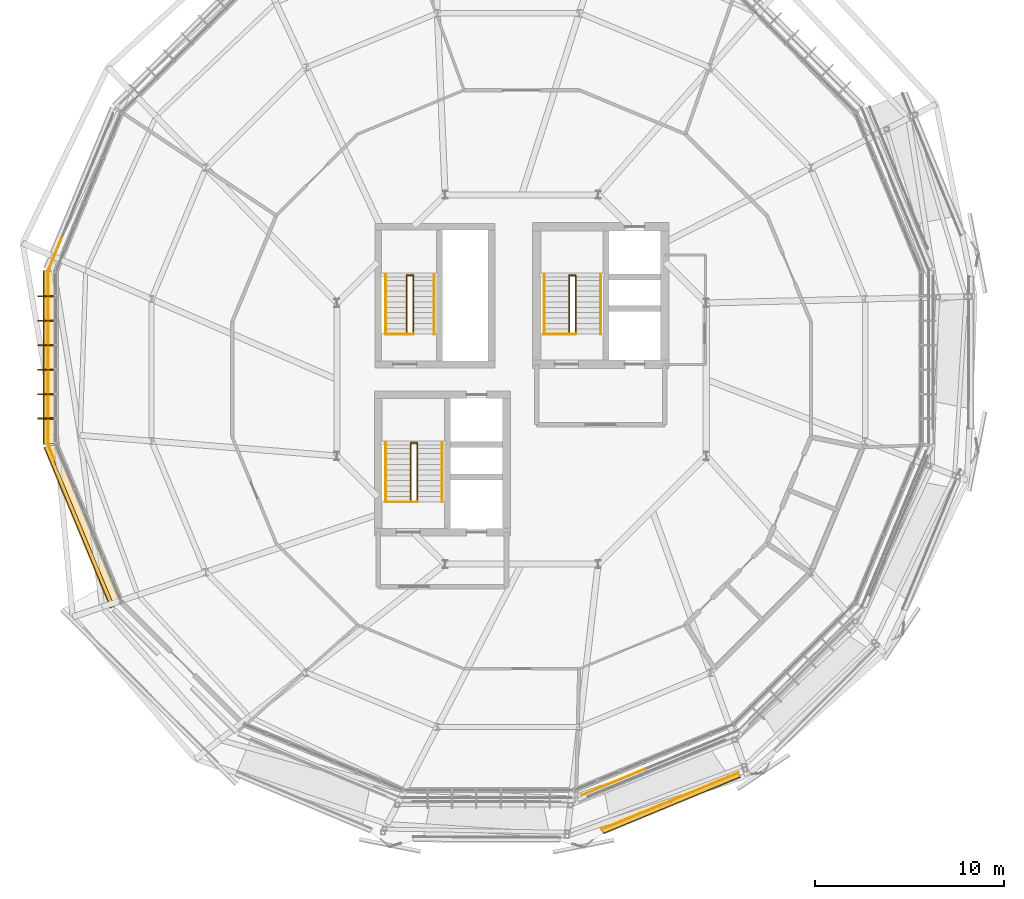
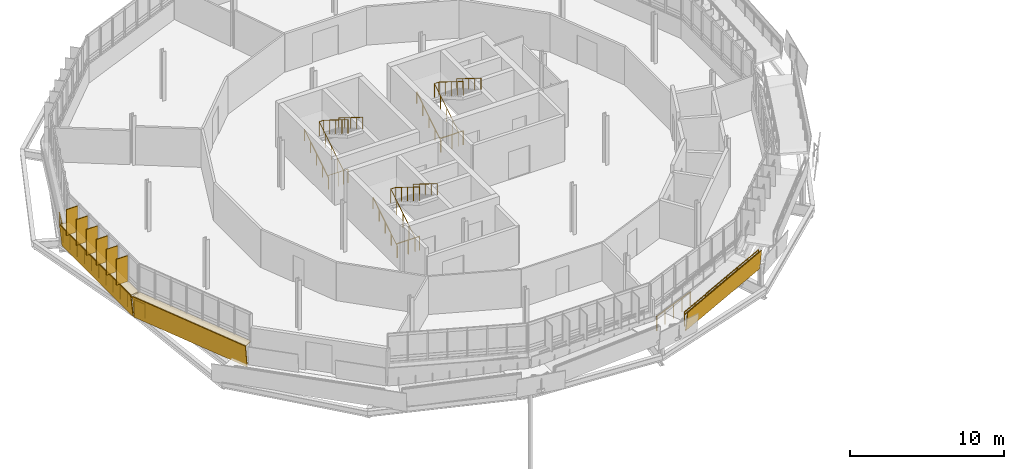
# One storey, part 33 of 38: 23 railings, 6 shading devices, 5 coverings.
"""IFC4 building model written with IfcOpenShell, lengths in metres."""

from ifc_helpers import new_model, si_unit, derived_unit, direction, frame, origin, origin_2d, place, context, subcontext, project, spatial, polyline, rectangle, circle, outline, extrude, material, layer, layer_set, type_object, element, save


model = new_model("IFC4")

# Units and contexts
model_context = context("Model", 3, precision=1e-05, world=origin(), true_north=direction((0.0, 1.0)))
body_context = subcontext(model_context, "Body", "Model", "MODEL_VIEW")
ifc_project = project(units=[si_unit("LENGTHUNIT", "METRE"), si_unit("AREAUNIT", "SQUARE_METRE"), si_unit("VOLUMEUNIT", "CUBIC_METRE"), si_unit("PLANEANGLEUNIT", "RADIAN"), si_unit("MASSUNIT", "GRAM", prefix="KILO"), derived_unit("THERMALTRANSMITTANCEUNIT", [(si_unit("MASSUNIT", "GRAM", prefix="KILO"), 1), (si_unit("TIMEUNIT", "SECOND"), -3), (si_unit("THERMODYNAMICTEMPERATUREUNIT", "KELVIN"), -1)])], contexts=[model_context])

# Site, building, storey
site_placement = place(None, origin())
site = spatial("IfcSite", under=ifc_project, at=site_placement, CompositionType="ELEMENT")
building_placement = place(site_placement, origin())
building = spatial("IfcBuilding", under=site, at=building_placement, Name="Makaiwela Harbour Ferry Terminal", CompositionType="ELEMENT")
storey_placement = place(building_placement, frame((0.0, 0.0, 17.699951171875)))
storey = spatial("IfcBuildingStorey", under=building, at=storey_placement, Name="L04", CompositionType="ELEMENT", Elevation=17.699951171875)

# Coverings
ifc_material_1 = material(Name="White glazed marine ceramic rainscreen tile", Category="masonry")
ifc_layer_1 = layer(ifc_material_1, 0.054931640625)
ifc_layer_set_1 = layer_set([ifc_layer_1], Name="White glazed marine ceramic rainscreen tile")
covering_type = type_object("IfcCoveringType", Name="ENV-CLD-CERAMIC", PredefinedType="CLADDING", material=ifc_layer_set_1)
covering_1_placement = place(storey_placement, frame((12.660400390625, 73.3828125, -0.219970703125), z_axis=(0.994019050726, 0.0, 0.109206807453), x_axis=(0.0, -1.0, 0.0)))
element("IfcCovering", 1, at=covering_1_placement, inside=storey, type_object=covering_type, Name="Ceramic Spandrel Facet CLD-0109", PredefinedType="CLADDING", context=body_context, shape_type="SweptSolid", body=[
    extrude(outline(polyline([(0.0, 0.0), (9.225830078125, 0.0), (9.225830078125, -1.7504596447165146), (0.0, -1.7504596447165146), (0.0, 0.0)])), origin(), (0.0, 0.0, -1.0), 0.054931640625),
])
covering_2_placement = place(storey_placement, frame((0.0, 0.0, 1.47998046875)))
element("IfcCovering", 2, at=covering_2_placement, inside=storey, type_object=covering_type, Name="Ceramic Ring Sill Cap CLD-0110", PredefinedType="CLADDING", context=body_context, shape_type="SweptSolid", body=[
    extrude(outline(polyline([(12.46923828125, 73.3828125), (12.46923828125, 64.156982421875), (13.099609375, 64.23486328125), (13.099609375, 73.30517578125), (12.46923828125, 73.3828125)])), origin(), (0.0, 0.0, 1.0), 0.05517578125),
])
covering_3_placement = place(storey_placement, frame((12.675537109375, 64.080810546875, -0.219970703125), z_axis=(0.918373003577, 0.380383324546, 0.109085070968), x_axis=(0.382666842189, -0.923886404212, 7.76523e-07)))
element("IfcCovering", 3, at=covering_3_placement, inside=storey, type_object=covering_type, Name="Ceramic Spandrel Facet CLD-0111", PredefinedType="CLADDING", context=body_context, shape_type="SweptSolid", body=[
    extrude(outline(polyline([(0.0, 0.0), (9.225606611795858, 0.0), (9.225822919286946, -1.750428898954605), (-0.00010267523508380015, -1.7504433130129173), (0.0, 0.0)])), origin(), (0.0, 0.0, -1.0), 0.054931640625),
])
covering_4_placement = place(storey_placement, frame((0.0, 0.0, 1.47998046875)))
element("IfcCovering", 4, at=covering_4_placement, inside=storey, type_object=covering_type, Name="Ceramic Ring Sill Cap CLD-0112", PredefinedType="CLADDING", context=body_context, shape_type="SweptSolid", body=[
    extrude(outline(polyline([(12.4990234375, 64.0078125), (16.029541015625, 55.484130859375), (16.58203125, 55.79736328125), (13.111083984375, 64.17724609375), (12.4990234375, 64.0078125)])), origin(), (0.0, 0.0, 1.0), 0.05517578125),
])
covering_5_placement = place(storey_placement, frame((42.062744140625, 43.68603515625, 0.7744140625), z_axis=(-0.386311891892, 0.915799785225, 0.109881188399), x_axis=(0.922083346818, 0.380481871864, 0.070681303774)))
element("IfcCovering", 5, at=covering_5_placement, inside=storey, type_object=covering_type, Name="Coiled Ramp Ceramic Fascia CLD-R0065", PredefinedType="CLADDING", context=body_context, shape_type="SweptSolid", body=[
    extrude(outline(polyline([(0.0, 0.0), (7.8824407635053335, -2.220446049250313e-16), (7.98977991478857, -1.5254963163229367), (0.10724626020123702, -1.5255277188234575), (0.0, 0.0)])), origin(), (0.0, 0.0, -1.0), 0.054931640625),
])

# Shading devices
ifc_material_2 = material(Name="Thermally modified Accoya timber and anodised aluminium", Category="wood")
ifc_layer_2 = layer(ifc_material_2, 0.06005859375)
ifc_layer_set_2 = layer_set([ifc_layer_2], Name="Thermally modified Accoya timber and anodised aluminium")
shading_device_type = type_object("IfcShadingDeviceType", Name="ENV-FIN-850", PredefinedType="USERDEFINED", material=ifc_layer_set_2)
for number, where, z_axis, x_axis, name in (
    (6, (12.5615234375, 72.009521484375, 1.60400390625), (0.0, 0.0, 1.0), (-1.0, 0.0, 0.0), "Vertical Solar Fin SFN-0126"),
    (7, (12.5615234375, 70.713623046875, 1.60400390625), (0.0, 0.0, 1.0), (-1.0, 0.0, 0.0), "Vertical Solar Fin SFN-0127"),
    (8, (12.5615234375, 69.41796875, 1.60400390625), (0.0, 0.0, 1.0), (-1.0, 0.0, 0.0), "Vertical Solar Fin SFN-0128"),
    (9, (12.5615234375, 68.1220703125, 1.60400390625), (0.0, 0.0, 1.0), (-1.0, 0.0, 0.0), "Vertical Solar Fin SFN-0129"),
    (10, (12.5615234375, 66.826416015625, 1.60400390625), (0.0, 0.0, 1.0), (-1.0, 0.0, 0.0), "Vertical Solar Fin SFN-0130"),
    (11, (12.5615234375, 65.530517578125, 1.60400390625), (0.0, 0.0, 1.0), (-1.0, 0.0, 0.0), "Vertical Solar Fin SFN-0131"),
):
    element("IfcShadingDevice", number, at=place(storey_placement, frame(where, z_axis=z_axis, x_axis=x_axis)), inside=storey, type_object=shading_device_type, Name=name, ObjectType="SOLAR FIN", PredefinedType="USERDEFINED", context=body_context, shape_type="SweptSolid", body=[
        extrude(rectangle(XDim=0.85009765625, YDim=0.06005859375, at=origin_2d()), origin(), (0.0, 0.0, 1.0), 2.0400390625),
    ])

# Railings
ifc_material_3 = material(Name="Marine grade 316L brushed stainless steel", Category="steel")
railing_type_1 = type_object("IfcRailingType", Name="INT-RL-GRD110", PredefinedType="GUARDRAIL", material=ifc_material_3)
railing_1_placement = place(storey_placement, frame((38.969970703125, 70.0, 0.0)))
element("IfcRailing", 12, at=railing_1_placement, inside=storey, type_object=railing_type_1, Name="Stair top well guardrail RL-0014", PredefinedType="GUARDRAIL", context=body_context, shape_type="SweptSolid", body=[
    extrude(circle(Radius=0.02392578125, at=origin_2d()), frame((0.0, 0.0, 1.09619140625), z_axis=(1.0, 0.0, 0.0), x_axis=(0.0, 1.0, 0.0)), (0.0, 0.0, 1.0), 1.696044921875),
    extrude(circle(Radius=0.02099609375, at=origin_2d()), origin(), (0.0, 0.0, 1.0), 1.072021484375),
    extrude(circle(Radius=0.02099609375, at=origin_2d()), frame((0.84814453125, 0.0, 0.0)), (0.0, 0.0, 1.0), 1.072021484375),
    extrude(circle(Radius=0.02099609375, at=origin_2d()), frame((1.696044921875, 0.0, 0.0)), (0.0, 0.0, 1.0), 1.072021484375),
])
railing_2_placement = place(storey_placement, frame((40.325927734375, 70.0, 0.0)))
element("IfcRailing", 13, at=railing_2_placement, inside=storey, type_object=railing_type_1, Name="Stair well guardrail RL-0017", PredefinedType="GUARDRAIL", context=body_context, shape_type="SweptSolid", body=[
    extrude(circle(Radius=0.02392578125, at=origin_2d()), frame((0.0, 0.0, 1.09619140625), z_axis=(0.0, 0.849144259976, 0.528160984692), x_axis=(-1.0, 0.0, 0.0)), (0.0, 0.0, 1.0), 3.69189453125),
    extrude(circle(Radius=0.02392578125, at=origin_2d()), frame((0.0, 3.135009765625, 3.0458984375), z_axis=(1.0, 0.0, 0.0), x_axis=(0.0, 1.0, 0.0)), (0.0, 0.0, 1.0), 0.340087890625),
    extrude(circle(Radius=0.02392578125, at=origin_2d()), frame((0.340087890625, 3.135009765625, 3.0458984375), z_axis=(0.0, -0.849114602454, 0.528208663219), x_axis=(1.0, 0.0, 0.0)), (0.0, 0.0, 1.0), 3.692138671875),
    extrude(circle(Radius=0.02099609375, at=origin_2d()), origin(), (0.0, 0.0, 1.0), 1.072021484375),
    extrude(circle(Radius=0.02099609375, at=origin_2d()), frame((0.0, 0.78369140625, 0.487548828125)), (0.0, 0.0, 1.0), 1.072021484375),
    extrude(circle(Radius=0.02099609375, at=origin_2d()), frame((0.0, 1.5673828125, 0.97509765625)), (0.0, 0.0, 1.0), 1.072021484375),
    extrude(circle(Radius=0.02099609375, at=origin_2d()), frame((0.0, 2.351318359375, 1.46240234375)), (0.0, 0.0, 1.0), 1.072021484375),
    extrude(circle(Radius=0.02099609375, at=origin_2d()), frame((0.0, 3.135009765625, 1.949951171875)), (0.0, 0.0, 1.0), 1.072021484375),
    extrude(circle(Radius=0.02099609375, at=origin_2d()), frame((0.340087890625, 3.135009765625, 1.949951171875)), (0.0, 0.0, 1.0), 1.072021484375),
    extrude(circle(Radius=0.02099609375, at=origin_2d()), frame((0.340087890625, 2.351318359375, 2.4375)), (0.0, 0.0, 1.0), 1.072021484375),
    extrude(circle(Radius=0.02099609375, at=origin_2d()), frame((0.340087890625, 1.5673828125, 2.925048828125)), (0.0, 0.0, 1.0), 1.072021484375),
    extrude(circle(Radius=0.02099609375, at=origin_2d()), frame((0.340087890625, 0.78369140625, 3.41259765625)), (0.0, 0.0, 1.0), 1.072021484375),
    extrude(circle(Radius=0.02099609375, at=origin_2d()), frame((0.340087890625, 0.0, 3.900146484375)), (0.0, 0.0, 1.0), 1.072021484375),
])
railing_3_placement = place(storey_placement, frame((30.570068359375, 61.10009765625, 0.0)))
element("IfcRailing", 14, at=railing_3_placement, inside=storey, type_object=railing_type_1, Name="Stair top well guardrail RL-0034", PredefinedType="GUARDRAIL", context=body_context, shape_type="SweptSolid", body=[
    extrude(circle(Radius=0.02392578125, at=origin_2d()), frame((0.0, 0.0, 1.09619140625), z_axis=(1.0, 0.0, 0.0), x_axis=(0.0, 1.0, 0.0)), (0.0, 0.0, 1.0), 1.696044921875),
    extrude(circle(Radius=0.02099609375, at=origin_2d()), origin(), (0.0, 0.0, 1.0), 1.072021484375),
    extrude(circle(Radius=0.02099609375, at=origin_2d()), frame((0.84814453125, 0.0, 0.0)), (0.0, 0.0, 1.0), 1.072021484375),
    extrude(circle(Radius=0.02099609375, at=origin_2d()), frame((1.696044921875, 0.0, 0.0)), (0.0, 0.0, 1.0), 1.072021484375),
])
railing_4_placement = place(storey_placement, frame((31.926025390625, 61.10009765625, 0.0)))
element("IfcRailing", 15, at=railing_4_placement, inside=storey, type_object=railing_type_1, Name="Stair well guardrail RL-0037", PredefinedType="GUARDRAIL", context=body_context, shape_type="SweptSolid", body=[
    extrude(circle(Radius=0.02392578125, at=origin_2d()), frame((0.0, 0.0, 1.09619140625), z_axis=(0.0, 0.849144259976, 0.528160984692), x_axis=(-1.0, 0.0, 0.0)), (0.0, 0.0, 1.0), 3.69189453125),
    extrude(circle(Radius=0.02392578125, at=origin_2d()), frame((0.0, 3.135009765625, 3.0458984375), z_axis=(1.0, 0.0, 0.0), x_axis=(0.0, 1.0, 0.0)), (0.0, 0.0, 1.0), 0.340087890625),
    extrude(circle(Radius=0.02392578125, at=origin_2d()), frame((0.340087890625, 3.135009765625, 3.0458984375), z_axis=(0.0, -0.849114602454, 0.528208663219), x_axis=(1.0, 0.0, 0.0)), (0.0, 0.0, 1.0), 3.692138671875),
    extrude(circle(Radius=0.02099609375, at=origin_2d()), origin(), (0.0, 0.0, 1.0), 1.072021484375),
    extrude(circle(Radius=0.02099609375, at=origin_2d()), frame((0.0, 0.78369140625, 0.487548828125)), (0.0, 0.0, 1.0), 1.072021484375),
    extrude(circle(Radius=0.02099609375, at=origin_2d()), frame((0.0, 1.5673828125, 0.97509765625)), (0.0, 0.0, 1.0), 1.072021484375),
    extrude(circle(Radius=0.02099609375, at=origin_2d()), frame((0.0, 2.351318359375, 1.46240234375)), (0.0, 0.0, 1.0), 1.072021484375),
    extrude(circle(Radius=0.02099609375, at=origin_2d()), frame((0.0, 3.135009765625, 1.949951171875)), (0.0, 0.0, 1.0), 1.072021484375),
    extrude(circle(Radius=0.02099609375, at=origin_2d()), frame((0.340087890625, 3.135009765625, 1.949951171875)), (0.0, 0.0, 1.0), 1.072021484375),
    extrude(circle(Radius=0.02099609375, at=origin_2d()), frame((0.340087890625, 2.351318359375, 2.4375)), (0.0, 0.0, 1.0), 1.072021484375),
    extrude(circle(Radius=0.02099609375, at=origin_2d()), frame((0.340087890625, 1.5673828125, 2.925048828125)), (0.0, 0.0, 1.0), 1.072021484375),
    extrude(circle(Radius=0.02099609375, at=origin_2d()), frame((0.340087890625, 0.78369140625, 3.41259765625)), (0.0, 0.0, 1.0), 1.072021484375),
    extrude(circle(Radius=0.02099609375, at=origin_2d()), frame((0.340087890625, 0.0, 3.900146484375)), (0.0, 0.0, 1.0), 1.072021484375),
])
railing_5_placement = place(storey_placement, frame((30.570068359375, 70.0, 0.0)))
element("IfcRailing", 16, at=railing_5_placement, inside=storey, type_object=railing_type_1, Name="Stair top well guardrail RL-0054", PredefinedType="GUARDRAIL", context=body_context, shape_type="SweptSolid", body=[
    extrude(circle(Radius=0.02392578125, at=origin_2d()), frame((0.0, 0.0, 1.09619140625), z_axis=(1.0, 0.0, 0.0), x_axis=(0.0, 1.0, 0.0)), (0.0, 0.0, 1.0), 1.47998046875),
    extrude(circle(Radius=0.02099609375, at=origin_2d()), origin(), (0.0, 0.0, 1.0), 1.072021484375),
    extrude(circle(Radius=0.02099609375, at=origin_2d()), frame((0.739990234375, 0.0, 0.0)), (0.0, 0.0, 1.0), 1.072021484375),
    extrude(circle(Radius=0.02099609375, at=origin_2d()), frame((1.47998046875, 0.0, 0.0)), (0.0, 0.0, 1.0), 1.072021484375),
])
railing_6_placement = place(storey_placement, frame((31.7099609375, 70.0, 0.0)))
element("IfcRailing", 17, at=railing_6_placement, inside=storey, type_object=railing_type_1, Name="Stair well guardrail RL-0057", PredefinedType="GUARDRAIL", context=body_context, shape_type="SweptSolid", body=[
    extrude(circle(Radius=0.02392578125, at=origin_2d()), frame((0.0, 0.0, 1.09619140625), z_axis=(0.0, 0.849144259976, 0.528160984692), x_axis=(-1.0, 0.0, 0.0)), (0.0, 0.0, 1.0), 3.69189453125),
    extrude(circle(Radius=0.02392578125, at=origin_2d()), frame((0.0, 3.135009765625, 3.0458984375), z_axis=(1.0, 0.0, 0.0), x_axis=(0.0, 1.0, 0.0)), (0.0, 0.0, 1.0), 0.340087890625),
    extrude(circle(Radius=0.02392578125, at=origin_2d()), frame((0.340087890625, 3.135009765625, 3.0458984375), z_axis=(0.0, -0.849114602454, 0.528208663219), x_axis=(1.0, 0.0, 0.0)), (0.0, 0.0, 1.0), 3.692138671875),
    extrude(circle(Radius=0.02099609375, at=origin_2d()), origin(), (0.0, 0.0, 1.0), 1.072021484375),
    extrude(circle(Radius=0.02099609375, at=origin_2d()), frame((0.0, 0.78369140625, 0.487548828125)), (0.0, 0.0, 1.0), 1.072021484375),
    extrude(circle(Radius=0.02099609375, at=origin_2d()), frame((0.0, 1.5673828125, 0.97509765625)), (0.0, 0.0, 1.0), 1.072021484375),
    extrude(circle(Radius=0.02099609375, at=origin_2d()), frame((0.0, 2.351318359375, 1.46240234375)), (0.0, 0.0, 1.0), 1.072021484375),
    extrude(circle(Radius=0.02099609375, at=origin_2d()), frame((0.0, 3.135009765625, 1.949951171875)), (0.0, 0.0, 1.0), 1.072021484375),
    extrude(circle(Radius=0.02099609375, at=origin_2d()), frame((0.340087890625, 3.135009765625, 1.949951171875)), (0.0, 0.0, 1.0), 1.072021484375),
    extrude(circle(Radius=0.02099609375, at=origin_2d()), frame((0.340087890625, 2.351318359375, 2.4375)), (0.0, 0.0, 1.0), 1.072021484375),
    extrude(circle(Radius=0.02099609375, at=origin_2d()), frame((0.340087890625, 1.5673828125, 2.925048828125)), (0.0, 0.0, 1.0), 1.072021484375),
    extrude(circle(Radius=0.02099609375, at=origin_2d()), frame((0.340087890625, 0.78369140625, 3.41259765625)), (0.0, 0.0, 1.0), 1.072021484375),
    extrude(circle(Radius=0.02099609375, at=origin_2d()), frame((0.340087890625, 0.0, 3.900146484375)), (0.0, 0.0, 1.0), 1.072021484375),
])
railing_7_placement = place(storey_placement, frame((42.041015625, 43.73876953125, 1.1142578125)))
element("IfcRailing", 18, at=railing_7_placement, inside=storey, type_object=railing_type_1, Name="Ramp guardrail RL-0227", PredefinedType="GUARDRAIL", context=body_context, shape_type="SweptSolid", body=[
    extrude(circle(Radius=0.02392578125, at=origin_2d()), frame((0.0, 0.0, 1.09619140625), z_axis=(0.922088825557, 0.380468883583, 0.070679745387), x_axis=(-0.381422799331, 0.924400696749, 0.0)), (0.0, 0.0, 1.0), 7.88232421875),
    extrude(circle(Radius=0.02099609375, at=origin_2d()), origin(), (0.0, 0.0, 1.0), 1.072021484375),
    extrude(circle(Radius=0.02099609375, at=origin_2d()), frame((1.038330078125, 0.428466796875, 0.07958984375)), (0.0, 0.0, 1.0), 1.072021484375),
    extrude(circle(Radius=0.02099609375, at=origin_2d()), frame((2.07666015625, 0.85693359375, 0.1591796875)), (0.0, 0.0, 1.0), 1.072021484375),
    extrude(circle(Radius=0.02099609375, at=origin_2d()), frame((3.114990234375, 1.285400390625, 0.23876953125)), (0.0, 0.0, 1.0), 1.072021484375),
    extrude(circle(Radius=0.02099609375, at=origin_2d()), frame((4.1533203125, 1.713623046875, 0.318359375)), (0.0, 0.0, 1.0), 1.072021484375),
    extrude(circle(Radius=0.02099609375, at=origin_2d()), frame((5.191650390625, 2.14208984375, 0.39794921875)), (0.0, 0.0, 1.0), 1.072021484375),
    extrude(circle(Radius=0.02099609375, at=origin_2d()), frame((6.22998046875, 2.570556640625, 0.4775390625)), (0.0, 0.0, 1.0), 1.072021484375),
    extrude(circle(Radius=0.02099609375, at=origin_2d()), frame((7.268310546875, 2.9990234375, 0.55712890625)), (0.0, 0.0, 1.0), 1.072021484375),
])
railing_8_placement = place(storey_placement, frame((12.703369140625, 64.126220703125, 0.0)))
element("IfcRailing", 19, at=railing_8_placement, inside=storey, type_object=railing_type_1, Name="Deck edge guardrail RL-0757", PredefinedType="GUARDRAIL", context=body_context, shape_type="SweptSolid", body=[
    extrude(circle(Radius=0.02392578125, at=origin_2d()), frame((0.0, 0.0, 1.09619140625), z_axis=(0.0, 1.0, 0.0), x_axis=(-1.0, 0.0, 0.0)), (0.0, 0.0, 1.0), 1.857421875),
    extrude(circle(Radius=0.02099609375, at=origin_2d()), origin(), (0.0, 0.0, 1.0), 1.072021484375),
    extrude(circle(Radius=0.02099609375, at=origin_2d()), frame((0.0, 0.9287109375, 0.0)), (0.0, 0.0, 1.0), 1.072021484375),
    extrude(circle(Radius=0.02099609375, at=origin_2d()), frame((0.0, 1.857421875, 0.0)), (0.0, 0.0, 1.0), 1.072021484375),
])
railing_9_placement = place(storey_placement, frame((12.703369140625, 65.983642578125, 0.0)))
element("IfcRailing", 20, at=railing_9_placement, inside=storey, type_object=railing_type_1, Name="Deck edge guardrail RL-0758", PredefinedType="GUARDRAIL", context=body_context, shape_type="SweptSolid", body=[
    extrude(circle(Radius=0.02392578125, at=origin_2d()), frame((0.0, 0.0, 1.09619140625), z_axis=(0.0, 1.0, 0.0), x_axis=(-1.0, 0.0, 0.0)), (0.0, 0.0, 1.0), 1.857666015625),
    extrude(circle(Radius=0.02099609375, at=origin_2d()), origin(), (0.0, 0.0, 1.0), 1.072021484375),
    extrude(circle(Radius=0.02099609375, at=origin_2d()), frame((0.0, 0.9287109375, 0.0)), (0.0, 0.0, 1.0), 1.072021484375),
    extrude(circle(Radius=0.02099609375, at=origin_2d()), frame((0.0, 1.857666015625, 0.0)), (0.0, 0.0, 1.0), 1.072021484375),
])
railing_10_placement = place(storey_placement, frame((12.703369140625, 67.84130859375, 0.0)))
element("IfcRailing", 21, at=railing_10_placement, inside=storey, type_object=railing_type_1, Name="Deck edge guardrail RL-0759", PredefinedType="GUARDRAIL", context=body_context, shape_type="SweptSolid", body=[
    extrude(circle(Radius=0.02392578125, at=origin_2d()), frame((0.0, 0.0, 1.09619140625), z_axis=(0.0, 1.0, 0.0), x_axis=(-1.0, 0.0, 0.0)), (0.0, 0.0, 1.0), 1.857421875),
    extrude(circle(Radius=0.02099609375, at=origin_2d()), origin(), (0.0, 0.0, 1.0), 1.072021484375),
    extrude(circle(Radius=0.02099609375, at=origin_2d()), frame((0.0, 0.9287109375, 0.0)), (0.0, 0.0, 1.0), 1.072021484375),
    extrude(circle(Radius=0.02099609375, at=origin_2d()), frame((0.0, 1.857421875, 0.0)), (0.0, 0.0, 1.0), 1.072021484375),
])
railing_11_placement = place(storey_placement, frame((12.703369140625, 69.69873046875, 0.0)))
element("IfcRailing", 22, at=railing_11_placement, inside=storey, type_object=railing_type_1, Name="Deck edge guardrail RL-0760", PredefinedType="GUARDRAIL", context=body_context, shape_type="SweptSolid", body=[
    extrude(circle(Radius=0.02392578125, at=origin_2d()), frame((0.0, 0.0, 1.09619140625), z_axis=(0.0, 1.0, 0.0), x_axis=(-1.0, 0.0, 0.0)), (0.0, 0.0, 1.0), 1.857666015625),
    extrude(circle(Radius=0.02099609375, at=origin_2d()), origin(), (0.0, 0.0, 1.0), 1.072021484375),
    extrude(circle(Radius=0.02099609375, at=origin_2d()), frame((0.0, 0.9287109375, 0.0)), (0.0, 0.0, 1.0), 1.072021484375),
    extrude(circle(Radius=0.02099609375, at=origin_2d()), frame((0.0, 1.857666015625, 0.0)), (0.0, 0.0, 1.0), 1.072021484375),
])
railing_12_placement = place(storey_placement, frame((12.703369140625, 71.556396484375, 0.0)))
element("IfcRailing", 23, at=railing_12_placement, inside=storey, type_object=railing_type_1, Name="Deck edge guardrail RL-0761", PredefinedType="GUARDRAIL", context=body_context, shape_type="SweptSolid", body=[
    extrude(circle(Radius=0.02392578125, at=origin_2d()), frame((0.0, 0.0, 1.09619140625), z_axis=(0.0, 1.0, 0.0), x_axis=(-1.0, 0.0, 0.0)), (0.0, 0.0, 1.0), 1.857421875),
    extrude(circle(Radius=0.02099609375, at=origin_2d()), origin(), (0.0, 0.0, 1.0), 1.072021484375),
    extrude(circle(Radius=0.02099609375, at=origin_2d()), frame((0.0, 0.9287109375, 0.0)), (0.0, 0.0, 1.0), 1.072021484375),
    extrude(circle(Radius=0.02099609375, at=origin_2d()), frame((0.0, 1.857421875, 0.0)), (0.0, 0.0, 1.0), 1.072021484375),
])
railing_13_placement = place(storey_placement, frame((12.703369140625, 73.413818359375, 0.0)))
element("IfcRailing", 24, at=railing_13_placement, inside=storey, type_object=railing_type_1, Name="Deck edge guardrail RL-0762", PredefinedType="GUARDRAIL", context=body_context, shape_type="SweptSolid", body=[
    extrude(circle(Radius=0.02392578125, at=origin_2d()), frame((0.0, 0.0, 1.09619140625), z_axis=(0.382592466586, 0.923917206524, 0.0), x_axis=(-0.923917206524, 0.382592466586, 0.0)), (0.0, 0.0, 1.0), 1.791748046875),
    extrude(circle(Radius=0.02099609375, at=origin_2d()), origin(), (0.0, 0.0, 1.0), 1.072021484375),
    extrude(circle(Radius=0.02099609375, at=origin_2d()), frame((0.3427734375, 0.82763671875, 0.0)), (0.0, 0.0, 1.0), 1.072021484375),
    extrude(circle(Radius=0.02099609375, at=origin_2d()), frame((0.685546875, 1.655517578125, 0.0)), (0.0, 0.0, 1.0), 1.072021484375),
])
railing_14_placement = place(storey_placement, frame((44.322509765625, 46.92626953125, 0.0)))
element("IfcRailing", 25, at=railing_14_placement, inside=storey, type_object=railing_type_1, Name="Deck edge guardrail RL-0815", PredefinedType="GUARDRAIL", context=body_context, shape_type="SweptSolid", body=[
    extrude(circle(Radius=0.02392578125, at=origin_2d()), frame((0.0, 0.0, 1.09619140625), z_axis=(-0.923875286858, -0.382693682119, 0.0), x_axis=(0.382693682119, -0.923875286858, 0.0)), (0.0, 0.0, 1.0), 1.786865234375),
    extrude(circle(Radius=0.02099609375, at=origin_2d()), origin(), (0.0, 0.0, 1.0), 1.072021484375),
    extrude(circle(Radius=0.02099609375, at=origin_2d()), frame((-0.825439453125, -0.341796875, 0.0)), (0.0, 0.0, 1.0), 1.072021484375),
    extrude(circle(Radius=0.02099609375, at=origin_2d()), frame((-1.65087890625, -0.683837890625, 0.0)), (0.0, 0.0, 1.0), 1.072021484375),
])
railing_15_placement = place(storey_placement, frame((42.671630859375, 46.242431640625, 0.0)))
element("IfcRailing", 26, at=railing_15_placement, inside=storey, type_object=railing_type_1, Name="Deck edge guardrail RL-0816", PredefinedType="GUARDRAIL", context=body_context, shape_type="SweptSolid", body=[
    extrude(circle(Radius=0.02392578125, at=origin_2d()), frame((0.0, 0.0, 1.09619140625), z_axis=(-0.92385527336, -0.382741993888, 0.0), x_axis=(0.382741993888, -0.92385527336, 0.0)), (0.0, 0.0, 1.0), 1.78662109375),
    extrude(circle(Radius=0.02099609375, at=origin_2d()), origin(), (0.0, 0.0, 1.0), 1.072021484375),
    extrude(circle(Radius=0.02099609375, at=origin_2d()), frame((-0.8251953125, -0.341796875, 0.0)), (0.0, 0.0, 1.0), 1.072021484375),
    extrude(circle(Radius=0.02099609375, at=origin_2d()), frame((-1.650634765625, -0.683837890625, 0.0)), (0.0, 0.0, 1.0), 1.072021484375),
])
railing_16_placement = place(storey_placement, frame((13.02783203125, 63.3427734375, 0.0)))
element("IfcRailing", 27, at=railing_16_placement, inside=storey, type_object=railing_type_1, Name="Deck edge guardrail RL-0828", PredefinedType="GUARDRAIL", context=body_context, shape_type="SweptSolid", body=[
    extrude(circle(Radius=0.02392578125, at=origin_2d()), frame((0.0, 0.0, 1.09619140625), z_axis=(-0.382631500312, 0.923901041762, 0.0), x_axis=(-0.923901041762, -0.382631500312, 0.0)), (0.0, 0.0, 1.0), 0.847900390625),
    extrude(circle(Radius=0.02099609375, at=origin_2d()), origin(), (0.0, 0.0, 1.0), 1.072021484375),
    extrude(circle(Radius=0.02099609375, at=origin_2d()), frame((-0.324462890625, 0.783447265625, 0.0)), (0.0, 0.0, 1.0), 1.072021484375),
])
railing_type_2 = type_object("IfcRailingType", Name="INT-RL-HND090", PredefinedType="HANDRAIL", material=ifc_material_3)
railing_17_placement = place(storey_placement, frame((39.0, 70.0, 0.0)))
element("IfcRailing", 28, at=railing_17_placement, inside=storey, type_object=railing_type_2, Name="Stair wall handrail RL-0019", PredefinedType="HANDRAIL", context=body_context, shape_type="SweptSolid", body=[
    extrude(circle(Radius=0.02392578125, at=origin_2d()), frame((0.0, 0.0, 0.89111328125), z_axis=(0.0, 0.849144259976, 0.528160984692), x_axis=(-1.0, 0.0, 0.0)), (0.0, 0.0, 1.0), 3.69189453125),
    extrude(circle(Radius=0.02099609375, at=origin_2d()), origin(), (0.0, 0.0, 1.0), 0.866943359375),
    extrude(circle(Radius=0.02099609375, at=origin_2d()), frame((0.0, 0.78369140625, 0.487548828125)), (0.0, 0.0, 1.0), 0.866943359375),
    extrude(circle(Radius=0.02099609375, at=origin_2d()), frame((0.0, 1.5673828125, 0.97509765625)), (0.0, 0.0, 1.0), 0.866943359375),
    extrude(circle(Radius=0.02099609375, at=origin_2d()), frame((0.0, 2.351318359375, 1.46240234375)), (0.0, 0.0, 1.0), 0.866943359375),
    extrude(circle(Radius=0.02099609375, at=origin_2d()), frame((0.0, 3.135009765625, 1.949951171875)), (0.0, 0.0, 1.0), 0.866943359375),
])
railing_18_placement = place(storey_placement, frame((41.991943359375, 73.135009765625, 1.949951171875)))
element("IfcRailing", 29, at=railing_18_placement, inside=storey, type_object=railing_type_2, Name="Stair upper handrail RL-0020", PredefinedType="HANDRAIL", context=body_context, shape_type="SweptSolid", body=[
    extrude(circle(Radius=0.02392578125, at=origin_2d()), frame((0.0, 0.0, 0.89111328125), z_axis=(0.0, -0.849114602454, 0.528208663219), x_axis=(1.0, 0.0, 0.0)), (0.0, 0.0, 1.0), 3.692138671875),
    extrude(circle(Radius=0.02099609375, at=origin_2d()), origin(), (0.0, 0.0, 1.0), 0.866943359375),
    extrude(circle(Radius=0.02099609375, at=origin_2d()), frame((0.0, -0.78369140625, 0.487548828125)), (0.0, 0.0, 1.0), 0.866943359375),
    extrude(circle(Radius=0.02099609375, at=origin_2d()), frame((0.0, -1.5673828125, 0.97509765625)), (0.0, 0.0, 1.0), 0.866943359375),
    extrude(circle(Radius=0.02099609375, at=origin_2d()), frame((0.0, -2.351318359375, 1.462646484375)), (0.0, 0.0, 1.0), 0.866943359375),
    extrude(circle(Radius=0.02099609375, at=origin_2d()), frame((0.0, -3.135009765625, 1.9501953125)), (0.0, 0.0, 1.0), 0.866943359375),
])
railing_19_placement = place(storey_placement, frame((30.60009765625, 61.10009765625, 0.0)))
element("IfcRailing", 30, at=railing_19_placement, inside=storey, type_object=railing_type_2, Name="Stair wall handrail RL-0039", PredefinedType="HANDRAIL", context=body_context, shape_type="SweptSolid", body=[
    extrude(circle(Radius=0.02392578125, at=origin_2d()), frame((0.0, 0.0, 0.89111328125), z_axis=(0.0, 0.849144259976, 0.528160984692), x_axis=(-1.0, 0.0, 0.0)), (0.0, 0.0, 1.0), 3.69189453125),
    extrude(circle(Radius=0.02099609375, at=origin_2d()), origin(), (0.0, 0.0, 1.0), 0.866943359375),
    extrude(circle(Radius=0.02099609375, at=origin_2d()), frame((0.0, 0.78369140625, 0.487548828125)), (0.0, 0.0, 1.0), 0.866943359375),
    extrude(circle(Radius=0.02099609375, at=origin_2d()), frame((0.0, 1.5673828125, 0.97509765625)), (0.0, 0.0, 1.0), 0.866943359375),
    extrude(circle(Radius=0.02099609375, at=origin_2d()), frame((0.0, 2.351318359375, 1.46240234375)), (0.0, 0.0, 1.0), 0.866943359375),
    extrude(circle(Radius=0.02099609375, at=origin_2d()), frame((0.0, 3.135009765625, 1.949951171875)), (0.0, 0.0, 1.0), 0.866943359375),
])
railing_20_placement = place(storey_placement, frame((33.592041015625, 64.235107421875, 1.949951171875)))
element("IfcRailing", 31, at=railing_20_placement, inside=storey, type_object=railing_type_2, Name="Stair upper handrail RL-0040", PredefinedType="HANDRAIL", context=body_context, shape_type="SweptSolid", body=[
    extrude(circle(Radius=0.02392578125, at=origin_2d()), frame((0.0, 0.0, 0.89111328125), z_axis=(0.0, -0.849114602454, 0.528208663219), x_axis=(1.0, 0.0, 0.0)), (0.0, 0.0, 1.0), 3.692138671875),
    extrude(circle(Radius=0.02099609375, at=origin_2d()), origin(), (0.0, 0.0, 1.0), 0.866943359375),
    extrude(circle(Radius=0.02099609375, at=origin_2d()), frame((0.0, -0.78369140625, 0.487548828125)), (0.0, 0.0, 1.0), 0.866943359375),
    extrude(circle(Radius=0.02099609375, at=origin_2d()), frame((0.0, -1.5673828125, 0.97509765625)), (0.0, 0.0, 1.0), 0.866943359375),
    extrude(circle(Radius=0.02099609375, at=origin_2d()), frame((0.0, -2.351318359375, 1.462646484375)), (0.0, 0.0, 1.0), 0.866943359375),
    extrude(circle(Radius=0.02099609375, at=origin_2d()), frame((0.0, -3.135009765625, 1.9501953125)), (0.0, 0.0, 1.0), 0.866943359375),
])
railing_21_placement = place(storey_placement, frame((30.60009765625, 70.0, 0.0)))
element("IfcRailing", 32, at=railing_21_placement, inside=storey, type_object=railing_type_2, Name="Stair wall handrail RL-0059", PredefinedType="HANDRAIL", context=body_context, shape_type="SweptSolid", body=[
    extrude(circle(Radius=0.02392578125, at=origin_2d()), frame((0.0, 0.0, 0.89111328125), z_axis=(0.0, 0.849144259976, 0.528160984692), x_axis=(-1.0, 0.0, 0.0)), (0.0, 0.0, 1.0), 3.69189453125),
    extrude(circle(Radius=0.02099609375, at=origin_2d()), origin(), (0.0, 0.0, 1.0), 0.866943359375),
    extrude(circle(Radius=0.02099609375, at=origin_2d()), frame((0.0, 0.78369140625, 0.487548828125)), (0.0, 0.0, 1.0), 0.866943359375),
    extrude(circle(Radius=0.02099609375, at=origin_2d()), frame((0.0, 1.5673828125, 0.97509765625)), (0.0, 0.0, 1.0), 0.866943359375),
    extrude(circle(Radius=0.02099609375, at=origin_2d()), frame((0.0, 2.351318359375, 1.46240234375)), (0.0, 0.0, 1.0), 0.866943359375),
    extrude(circle(Radius=0.02099609375, at=origin_2d()), frame((0.0, 3.135009765625, 1.949951171875)), (0.0, 0.0, 1.0), 0.866943359375),
])
railing_22_placement = place(storey_placement, frame((33.159912109375, 73.135009765625, 1.949951171875)))
element("IfcRailing", 33, at=railing_22_placement, inside=storey, type_object=railing_type_2, Name="Stair upper handrail RL-0060", PredefinedType="HANDRAIL", context=body_context, shape_type="SweptSolid", body=[
    extrude(circle(Radius=0.02392578125, at=origin_2d()), frame((0.0, 0.0, 0.89111328125), z_axis=(0.0, -0.849114602454, 0.528208663219), x_axis=(1.0, 0.0, 0.0)), (0.0, 0.0, 1.0), 3.692138671875),
    extrude(circle(Radius=0.02099609375, at=origin_2d()), origin(), (0.0, 0.0, 1.0), 0.866943359375),
    extrude(circle(Radius=0.02099609375, at=origin_2d()), frame((0.0, -0.78369140625, 0.487548828125)), (0.0, 0.0, 1.0), 0.866943359375),
    extrude(circle(Radius=0.02099609375, at=origin_2d()), frame((0.0, -1.5673828125, 0.97509765625)), (0.0, 0.0, 1.0), 0.866943359375),
    extrude(circle(Radius=0.02099609375, at=origin_2d()), frame((0.0, -2.351318359375, 1.462646484375)), (0.0, 0.0, 1.0), 0.866943359375),
    extrude(circle(Radius=0.02099609375, at=origin_2d()), frame((0.0, -3.135009765625, 1.9501953125)), (0.0, 0.0, 1.0), 0.866943359375),
])
railing_23_placement = place(storey_placement, frame((42.041015625, 43.73876953125, 1.1142578125)))
element("IfcRailing", 34, at=railing_23_placement, inside=storey, type_object=railing_type_2, Name="Ramp handrail RL-0228", PredefinedType="HANDRAIL", context=body_context, shape_type="SweptSolid", body=[
    extrude(circle(Radius=0.02392578125, at=origin_2d()), frame((0.0, 0.0, 0.89111328125), z_axis=(0.922088825557, 0.380468883583, 0.070679745387), x_axis=(-0.381422799331, 0.924400696749, 0.0)), (0.0, 0.0, 1.0), 7.88232421875),
    extrude(circle(Radius=0.02099609375, at=origin_2d()), origin(), (0.0, 0.0, 1.0), 0.866943359375),
    extrude(circle(Radius=0.02099609375, at=origin_2d()), frame((1.038330078125, 0.428466796875, 0.07958984375)), (0.0, 0.0, 1.0), 0.866943359375),
    extrude(circle(Radius=0.02099609375, at=origin_2d()), frame((2.07666015625, 0.85693359375, 0.1591796875)), (0.0, 0.0, 1.0), 0.866943359375),
    extrude(circle(Radius=0.02099609375, at=origin_2d()), frame((3.114990234375, 1.285400390625, 0.23876953125)), (0.0, 0.0, 1.0), 0.866943359375),
    extrude(circle(Radius=0.02099609375, at=origin_2d()), frame((4.1533203125, 1.713623046875, 0.318359375)), (0.0, 0.0, 1.0), 0.866943359375),
    extrude(circle(Radius=0.02099609375, at=origin_2d()), frame((5.191650390625, 2.14208984375, 0.39794921875)), (0.0, 0.0, 1.0), 0.866943359375),
    extrude(circle(Radius=0.02099609375, at=origin_2d()), frame((6.22998046875, 2.570556640625, 0.4775390625)), (0.0, 0.0, 1.0), 0.866943359375),
    extrude(circle(Radius=0.02099609375, at=origin_2d()), frame((7.268310546875, 2.9990234375, 0.55712890625)), (0.0, 0.0, 1.0), 0.866943359375),
])

save(model, "model.ifc")
